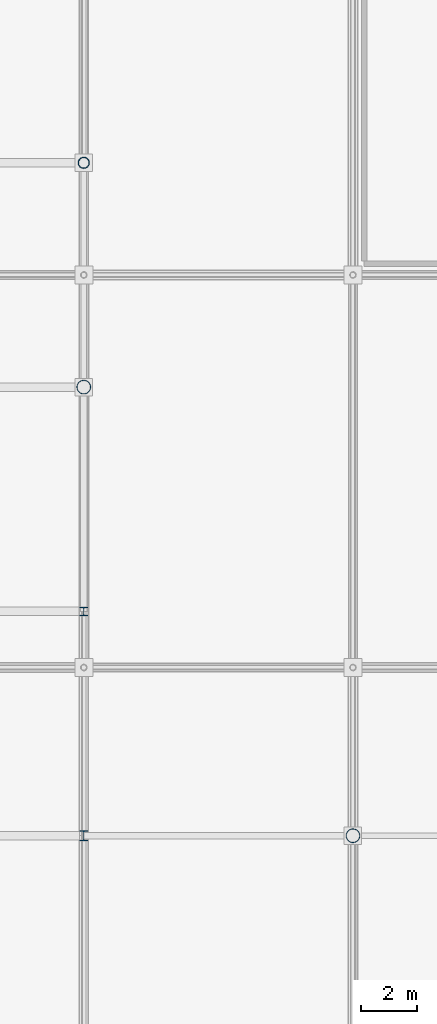
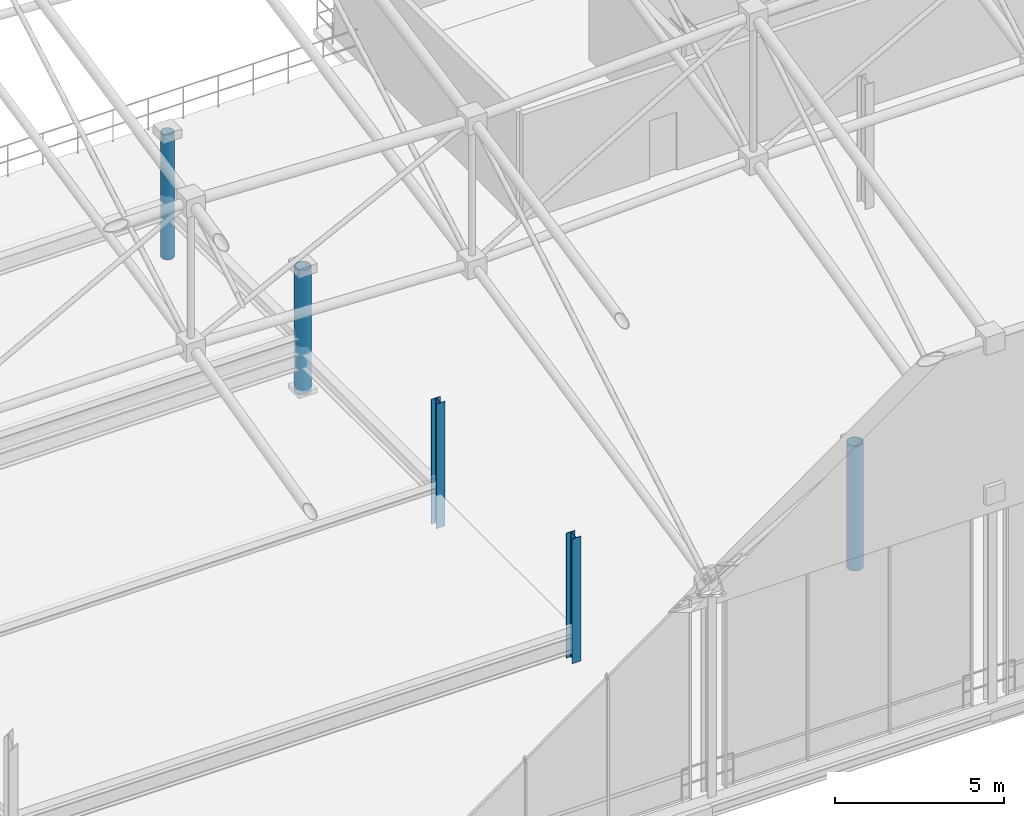
# One storey, part 18 of 193: 5 columns.
"""IFC4 building model written with IfcOpenShell, lengths in metres."""

from ifc_helpers import new_model, si_unit, direction, frame, origin, origin_2d, place, context, subcontext, project, spatial, hollow_circle, i_section, extrude, material, material_profile, profile_set, type_object, element, save


model = new_model("IFC4")

# Units and contexts
model_context = context("Model", 3, precision=1e-05, world=origin(), true_north=direction((0.0, 1.0)))
body_context = subcontext(model_context, "Body", "Model", "MODEL_VIEW")
ifc_project = project(units=[si_unit("LENGTHUNIT", "METRE"), si_unit("AREAUNIT", "SQUARE_METRE"), si_unit("VOLUMEUNIT", "CUBIC_METRE"), si_unit("PLANEANGLEUNIT", "RADIAN"), si_unit("MASSUNIT", "GRAM", prefix="KILO")], contexts=[model_context])

# Site, building, storey
site_placement = place(None, origin())
site = spatial("IfcSite", under=ifc_project, at=site_placement, CompositionType="ELEMENT")
building_placement = place(site_placement, origin())
building = spatial("IfcBuilding", under=site, at=building_placement, Name="Danafjord Basin Convention Centre", CompositionType="ELEMENT")
storey_placement = place(building_placement, frame((0.0, 0.0, 11.39990234375)))
storey = spatial("IfcBuildingStorey", under=building, at=storey_placement, Name="L02", CompositionType="ELEMENT", Elevation=11.39990234375)

# Columns
ifc_material = material(Name="Steel S355", Category="steel")
ifc_material_profile_1 = material_profile(ifc_material, hollow_circle(Radius=0.203125, WallThickness=0.02001953125, at=origin_2d()), Name="CHS 406.4x20.0")
ifc_profile_set_1 = profile_set([ifc_material_profile_1], Name="Steel S355")
column_type_1 = type_object("IfcColumnType", Name="COL-C-CHS406", PredefinedType="COLUMN", material=ifc_profile_set_1)
column_1_placement = place(storey_placement, frame((172.800048828125, 120.0, 0.0), z_axis=(0.0, 0.0, 1.0), x_axis=(1.0, 0.0, 0.0)))
element("IfcColumn", 1, at=column_1_placement, inside=storey, type_object=column_type_1, Name="L02 column C-CHS406 at (172.8, 120.0)", PredefinedType="COLUMN", context=body_context, shape_type="SweptSolid", body=[
    extrude(hollow_circle(Radius=0.203125, WallThickness=0.02001953125, at=origin_2d()), origin(), (0.0, 0.0, 1.0), 4.5),
])
ifc_material_profile_2 = material_profile(ifc_material, hollow_circle(Radius=0.25390625, WallThickness=0.02490234375, at=origin_2d()), Name="CHS 508.0x25.0")
ifc_profile_set_2 = profile_set([ifc_material_profile_2], Name="Steel S355")
column_type_2 = type_object("IfcColumnType", Name="COL-C-CHS508", PredefinedType="COLUMN", material=ifc_profile_set_2)
for number, where, z_axis, x_axis, name in (
    (2, (172.800048828125, 112.0, 0.0), (0.0, 0.0, 1.0), (1.0, 0.0, 0.0), "L02 column C-CHS508 at (172.8, 112.0)"),
    (3, (182.39990234375, 96.0, 0.0), (0.0, 0.0, 1.0), (1.0, 0.0, 0.0), "L02 column C-CHS508 at (182.4, 96.0)"),
):
    element("IfcColumn", number, at=place(storey_placement, frame(where, z_axis=z_axis, x_axis=x_axis)), inside=storey, type_object=column_type_2, Name=name, PredefinedType="COLUMN", context=body_context, shape_type="SweptSolid", body=[
        extrude(hollow_circle(Radius=0.25390625, WallThickness=0.02490234375, at=origin_2d()), origin(), (0.0, 0.0, 1.0), 4.5),
    ])
ifc_material_profile_3 = material_profile(ifc_material, i_section(OverallWidth=0.300048828125, OverallDepth=0.300048828125, WebThickness=0.010986328125, FlangeThickness=0.01904296875, FilletRadius=0.027099609375, at=origin_2d()), Name="HEB 300")
ifc_profile_set_3 = profile_set([ifc_material_profile_3], Name="Steel S355")
column_type_3 = type_object("IfcColumnType", Name="COL-C-HEB300", PredefinedType="COLUMN", material=ifc_profile_set_3)
column_2_placement = place(storey_placement, frame((172.800048828125, 104.0, 0.0), z_axis=(0.0, 0.0, 1.0), x_axis=(1.0, 0.0, 0.0)))
element("IfcColumn", 4, at=column_2_placement, inside=storey, type_object=column_type_3, Name="L02 column C-HEB300 at (172.8, 104.0)", PredefinedType="COLUMN", context=body_context, shape_type="SweptSolid", body=[
    extrude(i_section(OverallWidth=0.300048828125, OverallDepth=0.300048828125, WebThickness=0.010986328125, FlangeThickness=0.01904296875, FilletRadius=0.027099609375, at=origin_2d()), origin(), (0.0, 0.0, 1.0), 4.5),
])
ifc_material_profile_4 = material_profile(ifc_material, i_section(OverallWidth=0.300048828125, OverallDepth=0.360107421875, WebThickness=0.012451171875, FlangeThickness=0.0224609375, FilletRadius=0.027099609375, at=origin_2d()), Name="HEB 360")
ifc_profile_set_4 = profile_set([ifc_material_profile_4], Name="Steel S355")
column_type_4 = type_object("IfcColumnType", Name="COL-C-HEB360", PredefinedType="COLUMN", material=ifc_profile_set_4)
column_3_placement = place(storey_placement, frame((172.800048828125, 96.0, 0.0), z_axis=(0.0, 0.0, 1.0), x_axis=(1.0, 0.0, 0.0)))
element("IfcColumn", 5, at=column_3_placement, inside=storey, type_object=column_type_4, Name="L02 column C-HEB360 at (172.8, 96.0)", PredefinedType="COLUMN", context=body_context, shape_type="SweptSolid", body=[
    extrude(i_section(OverallWidth=0.300048828125, OverallDepth=0.360107421875, WebThickness=0.012451171875, FlangeThickness=0.0224609375, FilletRadius=0.027099609375, at=origin_2d()), origin(), (0.0, 0.0, 1.0), 4.5),
])

save(model, "model.ifc")
